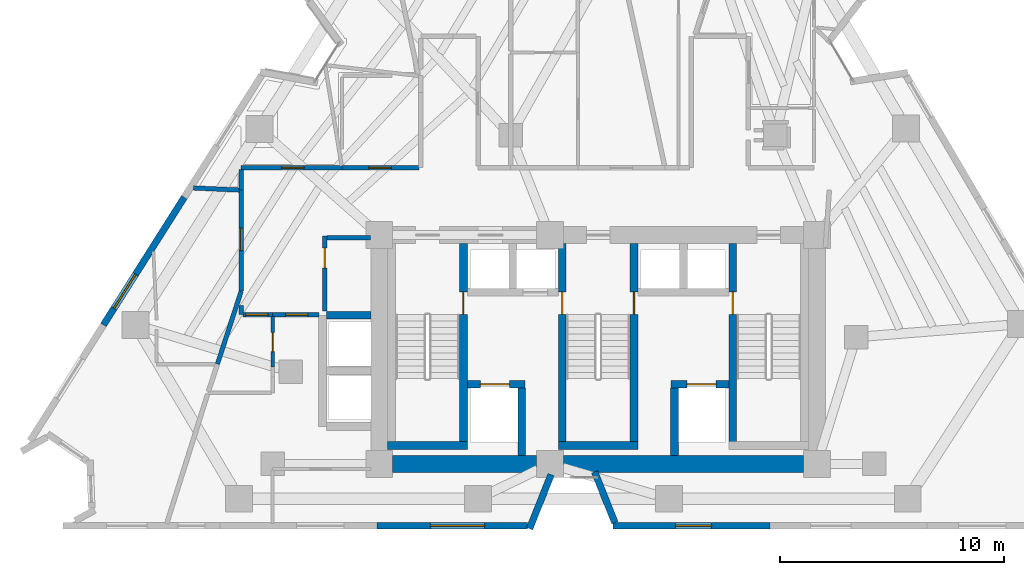
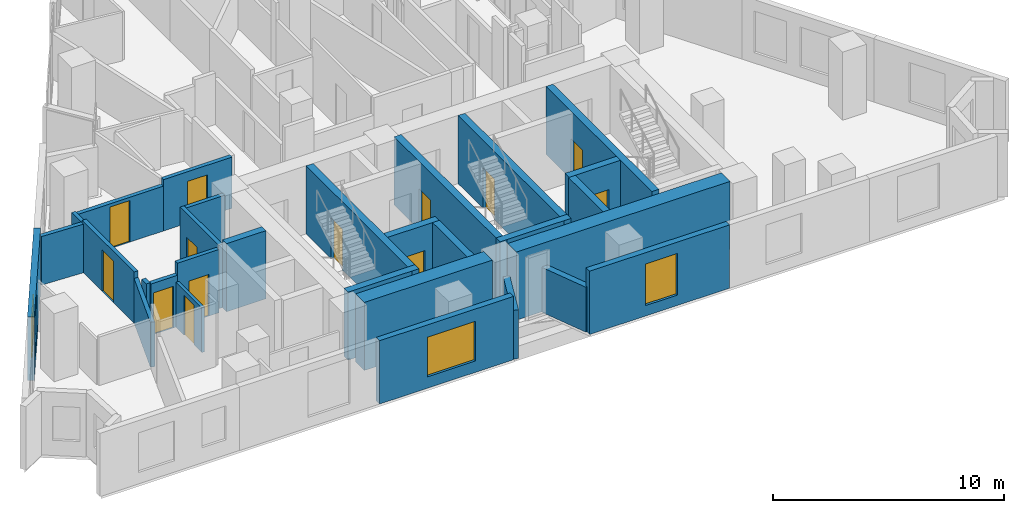
# One storey, part 6 of 12: 30 walls, 13 doors, 3 windows, 16 openings.
"""IFC4 building model written with IfcOpenShell, lengths in metres."""

import ifcopenshell
import ifcopenshell.guid

model = None  # the IFC model being written
_history = None  # IfcOwnerHistory: only IFC2X3 demands one
_inside = {}  # id of a spatial element -> (the spatial element, [elements in it])
_under = {}  # id of a project, library or spatial element -> (it, [spatial elements below it])
_declared = {}  # id of a project -> (the project, [libraries it declares])
_typed = {}  # id of a type object -> (the type object, [elements of that type])
_made_of = {}  # id of a material, layer set ... -> (it, [elements and type objects made of it])


def new_model(schema):
    """Start an empty IFC model of exactly this schema.

    Asked for "IFC4X3", IfcOpenShell would pick the latest addendum, in which some entities
    have other attributes; the version numbers below select the first issue.
    IFC2X3 requires an IfcOwnerHistory on every rooted entity: one is made here for all.
    """
    global model, _history
    if schema == "IFC4X3":
        model = ifcopenshell.file(schema_version=(4, 3, 0, 0))
    else:
        model = ifcopenshell.file(schema=schema)
    _inside.clear()
    _under.clear()
    _declared.clear()
    _typed.clear()
    _made_of.clear()
    _history = None
    if model.schema == "IFC2X3":
        org = make("IfcOrganization", Name="unknown")
        user = make(
            "IfcPersonAndOrganization",
            ThePerson=make("IfcPerson", FamilyName="unknown"),
            TheOrganization=org,
        )
        app = make(
            "IfcApplication",
            ApplicationDeveloper=org,
            Version="unknown",
            ApplicationFullName="unknown",
            ApplicationIdentifier="unknown",
        )
        _history = make(
            "IfcOwnerHistory",
            OwningUser=user,
            OwningApplication=app,
            ChangeAction="ADDED",
            CreationDate=0,
        )
    return model


def make(cls, **values):
    """One entity of the class cls with the attributes given. An attribute that is None is left unset."""
    return model.create_entity(
        cls, **{name: value for name, value in values.items() if value is not None}
    )


def rooted(cls, **values):
    """An entity with a GlobalId (a new one), such as an element, a storey or a relation."""
    return make(cls, GlobalId=ifcopenshell.guid.new(), OwnerHistory=_history, **values)


def si_unit(unit_type, name, prefix=None):
    """IfcSIUnit, for example si_unit("LENGTHUNIT", "METRE", prefix="MILLI")."""
    return make("IfcSIUnit", UnitType=unit_type, Prefix=prefix, Name=name)


def assignment(units):
    """IfcUnitAssignment: the units of a project."""
    return None if units is None else make("IfcUnitAssignment", Units=units)


def point(xyz):
    """IfcCartesianPoint."""
    return None if xyz is None else make("IfcCartesianPoint", Coordinates=xyz)


def direction(xyz):
    """IfcDirection."""
    return None if xyz is None else make("IfcDirection", DirectionRatios=xyz)


def frame(location, z_axis=None, x_axis=None):
    """IfcAxis2Placement3D, a coordinate frame: its origin and axes. An axis left out is left unset."""
    return make(
        "IfcAxis2Placement3D",
        Location=point(location),
        Axis=direction(z_axis),
        RefDirection=direction(x_axis),
    )


def frame_2d(location, x_axis=None):
    """IfcAxis2Placement2D, a coordinate frame in the plane: its origin and x axis."""
    return make(
        "IfcAxis2Placement2D", Location=point(location), RefDirection=direction(x_axis)
    )


def origin():
    """The frame at (0, 0, 0) with its axes left unset."""
    return frame((0.0, 0.0, 0.0))


def place(relative_to, where):
    """IfcLocalPlacement: puts the frame where relative to a parent placement (None: the world)."""
    return make(
        "IfcLocalPlacement", PlacementRelTo=relative_to, RelativePlacement=where
    )


def context(
    kind, dimensions, precision=None, world=None, true_north=None, identifier=None
):
    """IfcGeometricRepresentationContext, for example the 3D "Model" context."""
    return make(
        "IfcGeometricRepresentationContext",
        ContextIdentifier=identifier,
        ContextType=kind,
        CoordinateSpaceDimension=dimensions,
        Precision=precision,
        WorldCoordinateSystem=world,
        TrueNorth=true_north,
    )


def subcontext(parent, identifier, kind, view, scale=None):
    """IfcGeometricRepresentationSubContext, for example "Body" below "Model"."""
    return make(
        "IfcGeometricRepresentationSubContext",
        ContextIdentifier=identifier,
        ContextType=kind,
        ParentContext=parent,
        TargetScale=scale,
        TargetView=view,
    )


def project(units=None, contexts=None):
    """IfcProject with its units and contexts."""
    return rooted(
        "IfcProject",
        Name="project",
        RepresentationContexts=contexts,
        UnitsInContext=assignment(units),
    )


def spatial(cls, under=None, at=None, **own):
    """A site, building, storey or space (cls), placed at a placement, below another one or the project."""
    s = rooted(cls, ObjectPlacement=at, **own)
    if under is not None:
        _under.setdefault(under.id(), (under, []))[1].append(s)
    return s


def profile(cls, at=None, kind="AREA", **sizes):
    """A parametric profile (cls). Its sizes go by their IFC names, for example OverallWidth=200.0."""
    return make(cls, ProfileType=kind, Position=at, **sizes)


def rectangle(**sizes):
    """IfcRectangleProfileDef."""
    return profile("IfcRectangleProfileDef", **sizes)


def extrude(swept, where, along, depth):
    """IfcExtrudedAreaSolid: the profile swept, set in the frame where, extruded along a direction by depth."""
    return make(
        "IfcExtrudedAreaSolid",
        SweptArea=swept,
        Position=where,
        ExtrudedDirection=direction(along),
        Depth=depth,
    )


def shape(context_of_items, identifier, shape_type, items):
    """IfcShapeRepresentation: the items that make up one representation, for example the "Body"."""
    return make(
        "IfcShapeRepresentation",
        ContextOfItems=context_of_items,
        RepresentationIdentifier=identifier,
        RepresentationType=shape_type,
        Items=items,
    )


def material(Name=None, Category=None):
    """IfcMaterial."""
    return make("IfcMaterial", Name=Name, Category=Category)


def layer(
    of_material, thickness, ventilated=None, Name=None, Category=None, Priority=None
):
    """IfcMaterialLayer: one layer of a wall or slab, of a material (None: an air gap)."""
    return make(
        "IfcMaterialLayer",
        Material=of_material,
        LayerThickness=thickness,
        IsVentilated=ventilated,
        Name=Name,
        Category=Category,
        Priority=Priority,
    )


def layer_set(layers, Name=None):
    """IfcMaterialLayerSet."""
    return make("IfcMaterialLayerSet", MaterialLayers=layers, LayerSetName=Name)


def made_of(thing, what):
    """Note that an element or type object is made of a material, layer set ...; save() writes the relation."""
    if what is not None:
        _made_of.setdefault(what.id(), (what, []))[1].append(thing)
    return thing


def type_object(cls, material=None, **own):
    """A type object (cls), such as IfcWallType, which elements share."""
    return made_of(rooted(cls, **own), material)


def element(
    cls,
    number,
    at=None,
    inside=None,
    cuts=None,
    type_object=None,
    material=None,
    context=None,
    identifier="Body",
    shape_type=None,
    held_by="IfcProductDefinitionShape",
    body=None,
    shapes=None,
    **own,
):
    """One element of the class cls, such as IfcWall. Its Tag is "e" and its number.

    at: its placement. inside: the storey or other place that contains it. cuts: it is an
    opening in that element (IfcRelVoidsElement). A single representation is given by context,
    identifier, shape_type and body (its items); several are given by shapes. held_by: the class
    of the entity that holds the representations. save() writes the other relations.
    """
    e = rooted(cls, Tag="e%d" % number, ObjectPlacement=at, **own)
    if body is not None:
        shapes = [shape(context, identifier, shape_type, body)]
    if shapes is not None:
        e.Representation = make(held_by, Representations=shapes)
    if inside is not None:
        _inside.setdefault(inside.id(), (inside, []))[1].append(e)
    if cuts is not None:
        rooted(
            "IfcRelVoidsElement", RelatingBuildingElement=cuts, RelatedOpeningElement=e
        )
    if type_object is not None:
        _typed.setdefault(type_object.id(), (type_object, []))[1].append(e)
    return made_of(e, material)


def fill(opening, filler):
    """IfcRelFillsElement: the door or window that sits in an opening."""
    return rooted(
        "IfcRelFillsElement",
        RelatingOpeningElement=opening,
        RelatedBuildingElement=filler,
    )


def aggregate(whole, parts):
    """IfcRelAggregates: a whole, such as a stair, and the parts it consists of."""
    return rooted("IfcRelAggregates", RelatingObject=whole, RelatedObjects=parts)


def save(model, path):
    """Write the relations noted so far, then the file.

    IfcRelAggregates (storeys below a building ...), IfcRelContainedInSpatialStructure (elements
    in a storey), IfcRelDefinesByType, IfcRelAssociatesMaterial and IfcRelDeclares: one each for
    every whole, place, type object, material and project.
    """
    for whole, parts in _under.values():
        aggregate(whole, parts)
    for where, things in _inside.values():
        rooted(
            "IfcRelContainedInSpatialStructure",
            RelatedElements=things,
            RelatingStructure=where,
        )
    for kind, things in _typed.values():
        rooted("IfcRelDefinesByType", RelatedObjects=things, RelatingType=kind)
    for what, things in _made_of.values():
        rooted("IfcRelAssociatesMaterial", RelatedObjects=things, RelatingMaterial=what)
    for by, libraries in _declared.values():
        rooted("IfcRelDeclares", RelatingContext=by, RelatedDefinitions=libraries)
    model.write(path)


model = new_model("IFC4")

# Units and contexts
model_context = context("Model", 3, precision=1e-05, world=origin(), true_north=direction((0.0, 1.0)))
body_context = subcontext(model_context, "Body", "Model", "MODEL_VIEW")
ifc_project = project(units=[si_unit("LENGTHUNIT", "METRE"), si_unit("AREAUNIT", "SQUARE_METRE"), si_unit("VOLUMEUNIT", "CUBIC_METRE"), si_unit("PLANEANGLEUNIT", "RADIAN"), si_unit("MASSUNIT", "GRAM", prefix="KILO")], contexts=[model_context])

# Site, building, storey
site_placement = place(None, origin())
site = spatial("IfcSite", under=ifc_project, at=site_placement, CompositionType="ELEMENT")
building_placement = place(site_placement, origin())
building = spatial("IfcBuilding", under=site, at=building_placement, Name="Almagre Mirador Tower", CompositionType="ELEMENT")
storey_placement = place(building_placement, frame((0.0, 0.0, 114.0)))
storey = spatial("IfcBuildingStorey", under=building, at=storey_placement, Name="L28", CompositionType="ELEMENT", Elevation=114.0)

# Wall, opening, window
ifc_material_1 = material(Name="Precast concrete C50/60", Category="concrete")
ifc_layer_1 = layer(ifc_material_1, 0.300048828125)
ifc_layer_set_1 = layer_set([ifc_layer_1], Name="Precast concrete C50/60")
wall_type_1 = type_object("IfcWallType", Name="WAL-EXT-300", PredefinedType="SOLIDWALL", material=ifc_layer_set_1)
wall_1_placement = place(storey_placement, frame((44.953369140625, 1.800048828125, 0.0), z_axis=(0.0, 0.0, 1.0), x_axis=(-1.0, 0.0, 0.0)))
wall_1 = element("IfcWall", 1, at=wall_1_placement, inside=storey, type_object=wall_type_1, Name="L28 expressed almagre precast frame wall 23", PredefinedType="SOLIDWALL", context=body_context, shape_type="SweptSolid", body=[
    extrude(rectangle(XDim=6.993408203125, YDim=0.300048828125, at=frame_2d((3.49658203125, 0.0))), origin(), (0.0, 0.0, 1.0), 3.35009765625),
])
opening_1_placement = place(wall_1_placement, frame((2.60009765625, 0.0, 0.550048828125)))
opening_1 = element("IfcOpeningElement", 2, at=opening_1_placement, cuts=wall_1, Name="Opening WN-06", PredefinedType="OPENING", context=body_context, shape_type="SweptSolid", body=[
    extrude(rectangle(XDim=1.60009765625, YDim=2.199951171875, at=frame_2d((0.800048828125, 1.10009765625))), frame((0.0, 0.159902, 0.0), z_axis=(0.0, -1.0, 0.0), x_axis=(1.0, 0.0, 0.0)), (0.0, 0.0, 1.0), 0.320049),
])
ifc_material_2 = material(Name="Dark solar-control laminated hurricane glass", Category="glass")
window_type_1 = type_object("IfcWindowType", Name="WIN-1600X2200", PartitioningType="DOUBLE_PANEL_VERTICAL", PredefinedType="WINDOW", material=ifc_material_2)
window_1_placement = place(opening_1_placement, origin())
window_1 = element("IfcWindow", 3, at=window_1_placement, inside=storey, type_object=window_type_1, Name="L28 recessed hurricane window L28-RST-B", OverallHeight=2.199951171875, OverallWidth=1.60009765625, PartitioningType="SINGLE_PANEL", PredefinedType="WINDOW", context=body_context, shape_type="SweptSolid", body=[
    extrude(rectangle(XDim=1.60009765625, YDim=2.199951171875, at=frame_2d((0.800048828125, 1.10009765625))), frame((0.0, 0.030029296875, 0.0), z_axis=(0.0, -1.0, 0.0), x_axis=(1.0, 0.0, 0.0)), (0.0, 0.0, 1.0), 0.06005859375),
])
fill(opening_1, window_1)

# Walls
wall_2_placement = place(storey_placement, frame((38.048095703125, 1.93017578125, 0.0), z_axis=(0.0, 0.0, 1.0), x_axis=(-0.369476217581, 0.929240186734, 0.0)))
element("IfcWall", 4, at=wall_2_placement, inside=storey, type_object=wall_type_1, Name="L28 expressed almagre precast frame wall 24", PredefinedType="SOLIDWALL", context=body_context, shape_type="SweptSolid", body=[
    extrude(rectangle(XDim=2.441650390625, YDim=0.300048828125, at=frame_2d((1.220703125, 0.0))), origin(), (0.0, 0.0, 1.0), 2.376953125),
])
wall_3_placement = place(storey_placement, frame((35.206787109375, 4.080078125, 0.0), z_axis=(0.0, 0.0, 1.0), x_axis=(-0.369539870332, -0.929214875169, 0.0)))
element("IfcWall", 5, at=wall_3_placement, inside=storey, type_object=wall_type_1, Name="L28 expressed almagre precast frame wall 25", PredefinedType="SOLIDWALL", context=body_context, shape_type="SweptSolid", body=[
    extrude(rectangle(XDim=2.59375, YDim=0.300048828125, at=frame_2d((1.296875, 0.0))), origin(), (0.0, 0.0, 1.0), 2.574951171875),
])

# Wall, opening, window
wall_4_placement = place(storey_placement, frame((34.159912109375, 1.800048828125, 0.0), z_axis=(0.0, 0.0, 1.0), x_axis=(-1.0, 0.0, 0.0)))
wall_4 = element("IfcWall", 6, at=wall_4_placement, inside=storey, type_object=wall_type_1, Name="L28 expressed almagre precast frame wall 26", PredefinedType="SOLIDWALL", context=body_context, shape_type="SweptSolid", body=[
    extrude(rectangle(XDim=6.713134765625, YDim=0.300048828125, at=frame_2d((3.3564453125, 0.0))), origin(), (0.0, 0.0, 1.0), 3.35009765625),
])
opening_2_placement = place(wall_4_placement, frame((1.919921875, 0.0, 0.60009765625)))
opening_2 = element("IfcOpeningElement", 7, at=opening_2_placement, cuts=wall_4, Name="Opening WN-02", PredefinedType="OPENING", context=body_context, shape_type="SweptSolid", body=[
    extrude(rectangle(XDim=2.39990234375, YDim=2.10009765625, at=frame_2d((1.199951171875, 1.050048828125))), frame((0.0, 0.159902, 0.0), z_axis=(0.0, -1.0, 0.0), x_axis=(1.0, 0.0, 0.0)), (0.0, 0.0, 1.0), 0.320049),
])
ifc_material_3 = material(Name="Dark solar-control laminated hurricane glass", Category="glass")
window_type_2 = type_object("IfcWindowType", Name="WIN-2400X2100", PartitioningType="TRIPLE_PANEL_VERTICAL", PredefinedType="WINDOW", material=ifc_material_3)
window_2_placement = place(opening_2_placement, origin())
window_2 = element("IfcWindow", 8, at=window_2_placement, inside=storey, type_object=window_type_2, Name="L28 recessed hurricane window L28-RST-B", OverallHeight=2.10009765625, OverallWidth=2.39990234375, PartitioningType="SINGLE_PANEL", PredefinedType="WINDOW", context=body_context, shape_type="SweptSolid", body=[
    extrude(rectangle(XDim=2.39990234375, YDim=2.10009765625, at=frame_2d((1.199951171875, 1.050048828125))), frame((0.0, 0.030029296875, 0.0), z_axis=(0.0, -1.0, 0.0), x_axis=(1.0, 0.0, 0.0)), (0.0, 0.0, 1.0), 0.06005859375),
])
fill(opening_2, window_2)

wall_5_placement = place(storey_placement, frame((15.262451171875, 10.74560546875, 0.0), z_axis=(0.0, 0.0, 1.0), x_axis=(0.534880248718, 0.844927878302, 0.0)))
wall_5 = element("IfcWall", 9, at=wall_5_placement, inside=storey, type_object=wall_type_1, Name="L28 expressed almagre precast frame wall 34", PredefinedType="SOLIDWALL", context=body_context, shape_type="SweptSolid", body=[
    extrude(rectangle(XDim=6.72705078125, YDim=0.300048828125, at=frame_2d((3.363525390625, 0.0))), origin(), (0.0, 0.0, 1.0), 3.35009765625),
])
opening_3_placement = place(wall_5_placement, frame((0.875, 0.0, 0.60009765625)))
opening_3 = element("IfcOpeningElement", 10, at=opening_3_placement, cuts=wall_5, Name="Opening WN-01", PredefinedType="OPENING", context=body_context, shape_type="SweptSolid", body=[
    extrude(rectangle(XDim=1.800048828125, YDim=2.10009765625, at=frame_2d((0.89990234375, 1.050048828125))), frame((0.0, 0.159902, 0.0), z_axis=(0.0, -1.0, 0.0), x_axis=(1.0, 0.0, 0.0)), (0.0, 0.0, 1.0), 0.320049),
])
ifc_material_4 = material(Name="Dark solar-control laminated hurricane glass", Category="glass")
window_type_3 = type_object("IfcWindowType", Name="WIN-1800X2100", PartitioningType="DOUBLE_PANEL_VERTICAL", PredefinedType="WINDOW", material=ifc_material_4)
window_3_placement = place(opening_3_placement, origin())
window_3 = element("IfcWindow", 11, at=window_3_placement, inside=storey, type_object=window_type_3, Name="L28 recessed hurricane window L28-UD-KT", OverallHeight=2.10009765625, OverallWidth=1.800048828125, PartitioningType="SINGLE_PANEL", PredefinedType="WINDOW", context=body_context, shape_type="SweptSolid", body=[
    extrude(rectangle(XDim=1.800048828125, YDim=2.10009765625, at=frame_2d((0.89990234375, 1.050048828125))), frame((0.0, 0.030029296875, 0.0), z_axis=(0.0, -1.0, 0.0), x_axis=(1.0, 0.0, 0.0)), (0.0, 0.0, 1.0), 0.06005859375),
])
fill(opening_3, window_3)

# Wall, opening, door
ifc_material_5 = material(Name="Gypsum acoustic stud partition", Category="other")
ifc_layer_2 = layer(ifc_material_5, 0.14990234375)
ifc_layer_set_2 = layer_set([ifc_layer_2], Name="Gypsum acoustic stud partition")
wall_type_2 = type_object("IfcWallType", Name="WAL-PRT-150-STD", PredefinedType="PARTITIONING", material=ifc_layer_set_2)
wall_6_placement = place(storey_placement, frame((22.800048828125, 11.114990234375, 0.0), z_axis=(0.0, 0.0, 1.0), x_axis=(0.0, -1.0, 0.0)))
wall_6 = element("IfcWall", 12, at=wall_6_placement, inside=storey, type_object=wall_type_2, Name="L28 interior partition 026", PredefinedType="PARTITIONING", context=body_context, shape_type="SweptSolid", body=[
    extrude(rectangle(XDim=2.244873046875, YDim=0.14990234375, at=frame_2d((1.12255859375, 0.0))), origin(), (0.0, 0.0, 1.0), 2.3720703125),
])
opening_4_placement = place(wall_6_placement, frame((0.70947265625, 0.0, 0.0)))
opening_4 = element("IfcOpeningElement", 13, at=opening_4_placement, cuts=wall_6, Name="Opening UD-04", PredefinedType="OPENING", context=body_context, shape_type="SweptSolid", body=[
    extrude(rectangle(XDim=0.85009765625, YDim=2.10009765625, at=frame_2d((0.425048828125, 1.050048828125))), frame((0.0, 0.084951, 0.0), z_axis=(0.0, -1.0, 0.0), x_axis=(1.0, 0.0, 0.0)), (0.0, 0.0, 1.0), 0.169902),
])
ifc_material_6 = material(Name="Moisture-resistant oak timber", Category="wood")
door_type_1 = type_object("IfcDoorType", Name="DOR-UNR-850X2100", OperationType="NOTDEFINED", PredefinedType="DOOR", material=ifc_material_6)
door_1_placement = place(opening_4_placement, origin())
door_1 = element("IfcDoor", 14, at=door_1_placement, inside=storey, type_object=door_type_1, Name="DR-0920 L28 interior door L28-UA-LV to L28-UA-HB", OperationType="SINGLE_SWING_LEFT", OverallHeight=2.10009765625, OverallWidth=0.85009765625, PredefinedType="DOOR", context=body_context, shape_type="SweptSolid", body=[
    extrude(rectangle(XDim=0.85009765625, YDim=2.10009765625, at=frame_2d((0.425048828125, 1.050048828125))), frame((0.0, 0.02490234375, 0.0), z_axis=(0.0, -1.0, 0.0), x_axis=(1.0, 0.0, 0.0)), (0.0, 0.0, 1.0), 0.050048828125),
])
fill(opening_4, door_1)

ifc_material_7 = material(Name="Gypsum acoustic stud partition", Category="other")
ifc_layer_3 = layer(ifc_material_7, 0.199951171875)
ifc_layer_set_3 = layer_set([ifc_layer_3], Name="Gypsum acoustic stud partition")
wall_type_3 = type_object("IfcWallType", Name="WAL-PRT-200-EI60", PredefinedType="PARTITIONING", material=ifc_layer_set_3)
wall_7_placement = place(storey_placement, frame((25.1201171875, 11.3701171875, 0.0), z_axis=(0.0, 0.0, 1.0), x_axis=(0.0, 1.0, 0.0)))
wall_7 = element("IfcWall", 15, at=wall_7_placement, inside=storey, type_object=wall_type_3, Name="L28 core ancillary west wall", PredefinedType="PARTITIONING", context=body_context, shape_type="SweptSolid", body=[
    extrude(rectangle(XDim=3.33984375, YDim=0.199951171875, at=frame_2d((1.669921875, 0.0))), origin(), (0.0, 0.0, 1.0), 3.35009765625),
])
opening_5_placement = place(wall_7_placement, frame((1.89990234375, 0.0, 0.0)))
opening_5 = element("IfcOpeningElement", 16, at=opening_5_placement, cuts=wall_7, Name="Opening ID-03", PredefinedType="OPENING", context=body_context, shape_type="SweptSolid", body=[
    extrude(rectangle(XDim=0.89990234375, YDim=2.10009765625, at=frame_2d((0.449951171875, 1.050048828125))), frame((0.0, 0.110098, 0.0), z_axis=(0.0, -1.0, 0.0), x_axis=(1.0, 0.0, 0.0)), (0.0, 0.0, 1.0), 0.219951),
])
ifc_material_8 = material(Name="Fire-rated hollow steel", Category="steel")
door_type_2 = type_object("IfcDoorType", Name="DOR-FD60-900X2100", OperationType="NOTDEFINED", PredefinedType="DOOR", material=ifc_material_8)
door_2_placement = place(opening_5_placement, origin())
door_2 = element("IfcDoor", 17, at=door_2_placement, inside=storey, type_object=door_type_2, Name="DR-0913 L28 core ancillary corridor door", OperationType="SINGLE_SWING_RIGHT", OverallHeight=2.10009765625, OverallWidth=0.89990234375, PredefinedType="DOOR", context=body_context, shape_type="SweptSolid", body=[
    extrude(rectangle(XDim=0.89990234375, YDim=2.10009765625, at=frame_2d((0.449951171875, 1.050048828125))), frame((0.0, 0.02490234375, 0.0), z_axis=(0.0, -1.0, 0.0), x_axis=(1.0, 0.0, 0.0)), (0.0, 0.0, 1.0), 0.050048828125),
])
fill(opening_5, door_2)

# Wall
wall_8_placement = place(storey_placement, frame((25.22509765625, 14.6201171875, 0.0), z_axis=(0.0, 0.0, 1.0), x_axis=(1.0, 0.0, 0.0)))
element("IfcWall", 18, at=wall_8_placement, inside=storey, type_object=wall_type_3, Name="L28 core ancillary north wall", PredefinedType="PARTITIONING", context=body_context, shape_type="SweptSolid", body=[
    extrude(rectangle(XDim=1.934814453125, YDim=0.199951171875, at=frame_2d((0.96728515625, 0.0))), origin(), (0.0, 0.0, 1.0), 3.35009765625),
])

# Wall, opening, door
wall_9_placement = place(storey_placement, frame((22.800048828125, 11.199951171875, 0.0), z_axis=(0.0, 0.0, 1.0), x_axis=(1.0, 0.0, 0.0)))
wall_9 = element("IfcWall", 19, at=wall_9_placement, inside=storey, type_object=wall_type_3, Name="L28 interior partition 001", PredefinedType="PARTITIONING", context=body_context, shape_type="SweptSolid", body=[
    extrude(rectangle(XDim=2.069091796875, YDim=0.199951171875, at=frame_2d((1.03466796875, 0.0))), origin(), (0.0, 0.0, 1.0), 3.35009765625),
])
opening_6_placement = place(wall_9_placement, frame((0.574951171875, 0.0, 0.0)))
opening_6 = element("IfcOpeningElement", 20, at=opening_6_placement, cuts=wall_9, Name="Opening ID-01", PredefinedType="OPENING", context=body_context, shape_type="SweptSolid", body=[
    extrude(rectangle(XDim=1.0, YDim=2.199951171875, at=frame_2d((0.5, 1.10009765625))), frame((0.0, 0.110098, 0.0), z_axis=(0.0, -1.0, 0.0), x_axis=(1.0, 0.0, 0.0)), (0.0, 0.0, 1.0), 0.219951),
])
ifc_material_9 = material(Name="Fire-rated walnut timber", Category="wood")
door_type_3 = type_object("IfcDoorType", Name="DOR-FD60-1000X2200", OperationType="NOTDEFINED", PredefinedType="DOOR", material=ifc_material_9)
door_3_placement = place(opening_6_placement, origin())
door_3 = element("IfcDoor", 21, at=door_3_placement, inside=storey, type_object=door_type_3, Name="DR-0918 L28 interior door L28-RCOR to L28-UA-LV", OperationType="SINGLE_SWING_LEFT", OverallHeight=2.199951171875, OverallWidth=1.0, PredefinedType="DOOR", context=body_context, shape_type="SweptSolid", body=[
    extrude(rectangle(XDim=1.0, YDim=2.199951171875, at=frame_2d((0.5, 1.10009765625))), frame((0.0, 0.02490234375, 0.0), z_axis=(0.0, -1.0, 0.0), x_axis=(1.0, 0.0, 0.0)), (0.0, 0.0, 1.0), 0.050048828125),
])
fill(opening_6, door_3)

# Wall
wall_10_placement = place(storey_placement, frame((21.39990234375, 11.60498046875, 0.0), z_axis=(0.0, 0.0, 1.0), x_axis=(0.0, -1.0, 0.0)))
element("IfcWall", 22, at=wall_10_placement, inside=storey, type_object=wall_type_3, Name="L28 interior partition 002", PredefinedType="PARTITIONING", context=body_context, shape_type="SweptSolid", body=[
    extrude(rectangle(XDim=0.405029296875, YDim=0.199951171875, at=frame_2d((0.20263671875, 0.0))), origin(), (0.0, 0.0, 1.0), 2.7119140625),
])

# Wall, opening, door
wall_11_placement = place(storey_placement, frame((21.485107421875, 11.199951171875, 0.0), z_axis=(0.0, 0.0, 1.0), x_axis=(1.0, 0.0, 0.0)))
wall_11 = element("IfcWall", 23, at=wall_11_placement, inside=storey, type_object=wall_type_3, Name="L28 interior partition 003", PredefinedType="PARTITIONING", context=body_context, shape_type="SweptSolid", body=[
    extrude(rectangle(XDim=1.31494140625, YDim=0.199951171875, at=frame_2d((0.657470703125, 0.0))), origin(), (0.0, 0.0, 1.0), 2.7119140625),
])
opening_7_placement = place(wall_11_placement, frame((0.114990234375, 0.0, 0.0)))
opening_7 = element("IfcOpeningElement", 24, at=opening_7_placement, cuts=wall_11, Name="Opening ID-01", PredefinedType="OPENING", context=body_context, shape_type="SweptSolid", body=[
    extrude(rectangle(XDim=1.0, YDim=2.199951171875, at=frame_2d((0.5, 1.10009765625))), frame((0.0, 0.110098, 0.0), z_axis=(0.0, -1.0, 0.0), x_axis=(1.0, 0.0, 0.0)), (0.0, 0.0, 1.0), 0.219951),
])
door_4_placement = place(opening_7_placement, origin())
door_4 = element("IfcDoor", 25, at=door_4_placement, inside=storey, type_object=door_type_3, Name="DR-0935 L28 interior door L28-RCOR to L28-UA-HB", OperationType="SINGLE_SWING_RIGHT", OverallHeight=2.199951171875, OverallWidth=1.0, PredefinedType="DOOR", context=body_context, shape_type="SweptSolid", body=[
    extrude(rectangle(XDim=1.0, YDim=2.199951171875, at=frame_2d((0.5, 1.10009765625))), frame((0.0, 0.02490234375, 0.0), z_axis=(0.0, -1.0, 0.0), x_axis=(1.0, 0.0, 0.0)), (0.0, 0.0, 1.0), 0.050048828125),
])
fill(opening_7, door_4)

wall_12_placement = place(storey_placement, frame((21.39990234375, 16.75, 0.0), z_axis=(0.0, 0.0, 1.0), x_axis=(0.0, -1.0, 0.0)))
wall_12 = element("IfcWall", 26, at=wall_12_placement, inside=storey, type_object=wall_type_3, Name="L28 interior partition 005", PredefinedType="PARTITIONING", context=body_context, shape_type="SweptSolid", body=[
    extrude(rectangle(XDim=4.5, YDim=0.199951171875, at=frame_2d((2.25, 0.0))), origin(), (0.0, 0.0, 1.0), 2.7119140625),
])
opening_8_placement = place(wall_12_placement, frame((1.6904296875, 0.0, 0.0)))
opening_8 = element("IfcOpeningElement", 27, at=opening_8_placement, cuts=wall_12, Name="Opening ID-01", PredefinedType="OPENING", context=body_context, shape_type="SweptSolid", body=[
    extrude(rectangle(XDim=1.0, YDim=2.199951171875, at=frame_2d((0.5, 1.10009765625))), frame((0.0, 0.110098, 0.0), z_axis=(0.0, -1.0, 0.0), x_axis=(1.0, 0.0, 0.0)), (0.0, 0.0, 1.0), 0.219951),
])
door_5_placement = place(opening_8_placement, origin())
door_5 = element("IfcDoor", 28, at=door_5_placement, inside=storey, type_object=door_type_3, Name="DR-0921 L28 interior door L28-RCOR to L28-UD-ST", OperationType="SINGLE_SWING_RIGHT", OverallHeight=2.199951171875, OverallWidth=1.0, PredefinedType="DOOR", context=body_context, shape_type="SweptSolid", body=[
    extrude(rectangle(XDim=1.0, YDim=2.199951171875, at=frame_2d((0.5, 1.10009765625))), frame((0.0, 0.02490234375, 0.0), z_axis=(0.0, -1.0, 0.0), x_axis=(1.0, 0.0, 0.0)), (0.0, 0.0, 1.0), 0.050048828125),
])
fill(opening_8, door_5)

wall_13_placement = place(storey_placement, frame((25.889892578125, 17.75, 0.0), z_axis=(0.0, 0.0, 1.0), x_axis=(-1.0, 0.0, 0.0)))
wall_13 = element("IfcWall", 29, at=wall_13_placement, inside=storey, type_object=wall_type_3, Name="L28 interior partition 006", PredefinedType="PARTITIONING", context=body_context, shape_type="SweptSolid", body=[
    extrude(rectangle(XDim=4.489990234375, YDim=0.199951171875, at=frame_2d((2.2451171875, 0.0))), origin(), (0.0, 0.0, 1.0), 2.3720703125),
])
opening_9_placement = place(wall_13_placement, frame((1.685546875, 0.0, 0.0)))
opening_9 = element("IfcOpeningElement", 30, at=opening_9_placement, cuts=wall_13, Name="Opening ID-01", PredefinedType="OPENING", context=body_context, shape_type="SweptSolid", body=[
    extrude(rectangle(XDim=1.0, YDim=2.199951171875, at=frame_2d((0.5, 1.10009765625))), frame((0.0, 0.110098, 0.0), z_axis=(0.0, -1.0, 0.0), x_axis=(1.0, 0.0, 0.0)), (0.0, 0.0, 1.0), 0.219951),
])
door_6_placement = place(opening_9_placement, origin())
door_6 = element("IfcDoor", 31, at=door_6_placement, inside=storey, type_object=door_type_3, Name="DR-0922 L28 interior door L28-RCOR to L28-UF-ST", OperationType="SINGLE_SWING_LEFT", OverallHeight=2.199951171875, OverallWidth=1.0, PredefinedType="DOOR", context=body_context, shape_type="SweptSolid", body=[
    extrude(rectangle(XDim=1.0, YDim=2.199951171875, at=frame_2d((0.5, 1.10009765625))), frame((0.0, 0.02490234375, 0.0), z_axis=(0.0, -1.0, 0.0), x_axis=(1.0, 0.0, 0.0)), (0.0, 0.0, 1.0), 0.050048828125),
])
fill(opening_9, door_6)

# Wall
wall_14_placement = place(storey_placement, frame((21.39990234375, 17.6650390625, 0.0), z_axis=(0.0, 0.0, 1.0), x_axis=(0.0, -1.0, 0.0)))
element("IfcWall", 32, at=wall_14_placement, inside=storey, type_object=wall_type_3, Name="L28 interior partition 007", PredefinedType="PARTITIONING", context=body_context, shape_type="SweptSolid", body=[
    extrude(rectangle(XDim=0.9150390625, YDim=0.199951171875, at=frame_2d((0.45751953125, 0.0))), origin(), (0.0, 0.0, 1.0), 2.570068359375),
])

# Wall, opening, door
wall_15_placement = place(storey_placement, frame((29.31494140625, 17.75, 0.0), z_axis=(0.0, 0.0, 1.0), x_axis=(-1.0, 0.0, 0.0)))
wall_15 = element("IfcWall", 33, at=wall_15_placement, inside=storey, type_object=wall_type_3, Name="L28 interior partition 009", PredefinedType="PARTITIONING", context=body_context, shape_type="SweptSolid", body=[
    extrude(rectangle(XDim=3.425048828125, YDim=0.199951171875, at=frame_2d((1.71240234375, 0.0))), origin(), (0.0, 0.0, 1.0), 2.7119140625),
])
opening_10_placement = place(wall_15_placement, frame((1.228759765625, 0.0, 0.0)))
opening_10 = element("IfcOpeningElement", 34, at=opening_10_placement, cuts=wall_15, Name="Opening ID-01", PredefinedType="OPENING", context=body_context, shape_type="SweptSolid", body=[
    extrude(rectangle(XDim=1.0, YDim=2.199951171875, at=frame_2d((0.5, 1.10009765625))), frame((0.0, 0.110098, 0.0), z_axis=(0.0, -1.0, 0.0), x_axis=(1.0, 0.0, 0.0)), (0.0, 0.0, 1.0), 0.219951),
])
door_7_placement = place(opening_10_placement, origin())
door_7 = element("IfcDoor", 35, at=door_7_placement, inside=storey, type_object=door_type_3, Name="DR-0936 L28 interior door L28-RCOR to L28-UF-BT", OperationType="SINGLE_SWING_LEFT", OverallHeight=2.199951171875, OverallWidth=1.0, PredefinedType="DOOR", context=body_context, shape_type="SweptSolid", body=[
    extrude(rectangle(XDim=1.0, YDim=2.199951171875, at=frame_2d((0.5, 1.10009765625))), frame((0.0, 0.02490234375, 0.0), z_axis=(0.0, -1.0, 0.0), x_axis=(1.0, 0.0, 0.0)), (0.0, 0.0, 1.0), 0.050048828125),
])
fill(opening_10, door_7)

# Walls
wall_16_placement = place(storey_placement, frame((21.39990234375, 12.25, 0.0), z_axis=(0.0, 0.0, 1.0), x_axis=(-0.310029019977, -0.950727093741, 0.0)))
element("IfcWall", 36, at=wall_16_placement, inside=storey, type_object=wall_type_3, Name="L28 interior partition 030", PredefinedType="PARTITIONING", context=body_context, shape_type="SweptSolid", body=[
    extrude(rectangle(XDim=3.41845703125, YDim=0.199951171875, at=frame_2d((1.709228515625, 0.0))), origin(), (0.0, 0.0, 1.0), 2.3720703125),
])
wall_17_placement = place(storey_placement, frame((21.315185546875, 16.7529296875, 0.0), z_axis=(0.0, 0.0, 1.0), x_axis=(-0.998928926466, 0.046270939795, 0.0)))
element("IfcWall", 37, at=wall_17_placement, inside=storey, type_object=wall_type_3, Name="L28 interior partition 050", PredefinedType="PARTITIONING", context=body_context, shape_type="SweptSolid", body=[
    extrude(rectangle(XDim=2.052490234375, YDim=0.199951171875, at=frame_2d((1.0263671875, 0.0))), origin(), (0.0, 0.0, 1.0), 2.570068359375),
])

# Wall, opening, door
ifc_material_10 = material(Name="Concrete C60/75", Category="concrete")
ifc_layer_4 = layer(ifc_material_10, 0.35009765625)
ifc_layer_set_4 = layer_set([ifc_layer_4], Name="Concrete C60/75")
wall_type_4 = type_object("IfcWallType", Name="WAL-SHF-350", PredefinedType="SOLIDWALL", material=ifc_layer_set_4)
wall_18_placement = place(storey_placement, frame((31.300048828125, 5.199951171875, 0.0), z_axis=(0.0, 0.0, 1.0), x_axis=(0.0, 1.0, 0.0)))
wall_18 = element("IfcWall", 38, at=wall_18_placement, inside=storey, type_object=wall_type_4, Name="L28 shaft wall ST1-E", PredefinedType="SOLIDWALL", context=body_context, shape_type="SweptSolid", body=[
    extrude(rectangle(XDim=9.175048828125, YDim=0.35009765625, at=frame_2d((4.58740234375, 0.0))), origin(), (0.0, 0.0, 1.0), 3.60009765625),
])
opening_11_placement = place(wall_18_placement, frame((6.02001953125, 0.0, 0.0)))
opening_11 = element("IfcOpeningElement", 39, at=opening_11_placement, cuts=wall_18, Name="Opening FD-01", PredefinedType="OPENING", context=body_context, shape_type="SweptSolid", body=[
    extrude(rectangle(XDim=1.0, YDim=2.14990234375, at=frame_2d((0.5, 1.074951171875))), frame((0.0, 0.185049, 0.0), z_axis=(0.0, -1.0, 0.0), x_axis=(1.0, 0.0, 0.0)), (0.0, 0.0, 1.0), 0.370098),
])
ifc_material_11 = material(Name="Fire-rated hollow steel", Category="steel")
door_type_4 = type_object("IfcDoorType", Name="DOR-FFL-1000X2150", OperationType="NOTDEFINED", PredefinedType="DOOR", material=ifc_material_11)
door_8_placement = place(opening_11_placement, origin())
door_8 = element("IfcDoor", 40, at=door_8_placement, inside=storey, type_object=door_type_4, Name="DR-0914 L28 FFL1-ST1 smokeproof door", OperationType="SINGLE_SWING_RIGHT", OverallHeight=2.14990234375, OverallWidth=1.0, PredefinedType="DOOR", context=body_context, shape_type="SweptSolid", body=[
    extrude(rectangle(XDim=1.0, YDim=2.14990234375, at=frame_2d((0.5, 1.074951171875))), frame((0.0, 0.02490234375, 0.0), z_axis=(0.0, -1.0, 0.0), x_axis=(1.0, 0.0, 0.0)), (0.0, 0.0, 1.0), 0.050048828125),
])
fill(opening_11, door_8)

# Wall
wall_19_placement = place(storey_placement, frame((27.925048828125, 5.375, 0.0), z_axis=(0.0, 0.0, 1.0), x_axis=(1.0, 0.0, 0.0)))
element("IfcWall", 41, at=wall_19_placement, inside=storey, type_object=wall_type_4, Name="L28 shaft wall ST1-S", PredefinedType="SOLIDWALL", context=body_context, shape_type="SweptSolid", body=[
    extrude(rectangle(XDim=3.550048828125, YDim=0.35009765625, at=frame_2d((1.77490234375, 0.0))), origin(), (0.0, 0.0, 1.0), 3.60009765625),
])

# Wall, opening, door
wall_20_placement = place(storey_placement, frame((35.699951171875, 5.199951171875, 0.0), z_axis=(0.0, 0.0, 1.0), x_axis=(0.0, 1.0, 0.0)))
wall_20 = element("IfcWall", 42, at=wall_20_placement, inside=storey, type_object=wall_type_4, Name="L28 shaft wall ST2-W", PredefinedType="SOLIDWALL", context=body_context, shape_type="SweptSolid", body=[
    extrude(rectangle(XDim=9.175048828125, YDim=0.35009765625, at=frame_2d((4.58740234375, 0.0))), origin(), (0.0, 0.0, 1.0), 3.60009765625),
])
opening_12_placement = place(wall_20_placement, frame((6.02001953125, 0.0, 0.0)))
opening_12 = element("IfcOpeningElement", 43, at=opening_12_placement, cuts=wall_20, Name="Opening FD-01", PredefinedType="OPENING", context=body_context, shape_type="SweptSolid", body=[
    extrude(rectangle(XDim=1.0, YDim=2.14990234375, at=frame_2d((0.5, 1.074951171875))), frame((0.0, 0.185049, 0.0), z_axis=(0.0, -1.0, 0.0), x_axis=(1.0, 0.0, 0.0)), (0.0, 0.0, 1.0), 0.370098),
])
door_9_placement = place(opening_12_placement, origin())
door_9 = element("IfcDoor", 44, at=door_9_placement, inside=storey, type_object=door_type_4, Name="DR-0915 L28 FFL1-ST2 smokeproof door", OperationType="SINGLE_SWING_LEFT", OverallHeight=2.14990234375, OverallWidth=1.0, PredefinedType="DOOR", context=body_context, shape_type="SweptSolid", body=[
    extrude(rectangle(XDim=1.0, YDim=2.14990234375, at=frame_2d((0.5, 1.074951171875))), frame((0.0, 0.02490234375, 0.0), z_axis=(0.0, -1.0, 0.0), x_axis=(1.0, 0.0, 0.0)), (0.0, 0.0, 1.0), 0.050048828125),
])
fill(opening_12, door_9)

wall_21_placement = place(storey_placement, frame((38.89990234375, 5.199951171875, 0.0), z_axis=(0.0, 0.0, 1.0), x_axis=(0.0, 1.0, 0.0)))
wall_21 = element("IfcWall", 45, at=wall_21_placement, inside=storey, type_object=wall_type_4, Name="L28 shaft wall ST2-E", PredefinedType="SOLIDWALL", context=body_context, shape_type="SweptSolid", body=[
    extrude(rectangle(XDim=9.175048828125, YDim=0.35009765625, at=frame_2d((4.58740234375, 0.0))), origin(), (0.0, 0.0, 1.0), 3.60009765625),
])
opening_13_placement = place(wall_21_placement, frame((6.02001953125, 0.0, 0.0)))
opening_13 = element("IfcOpeningElement", 46, at=opening_13_placement, cuts=wall_21, Name="Opening FD-01", PredefinedType="OPENING", context=body_context, shape_type="SweptSolid", body=[
    extrude(rectangle(XDim=1.0, YDim=2.14990234375, at=frame_2d((0.5, 1.074951171875))), frame((0.0, 0.185049, 0.0), z_axis=(0.0, -1.0, 0.0), x_axis=(1.0, 0.0, 0.0)), (0.0, 0.0, 1.0), 0.370098),
])
door_10_placement = place(opening_13_placement, origin())
door_10 = element("IfcDoor", 47, at=door_10_placement, inside=storey, type_object=door_type_4, Name="DR-0916 L28 FFL2-ST2 smokeproof door", OperationType="SINGLE_SWING_RIGHT", OverallHeight=2.14990234375, OverallWidth=1.0, PredefinedType="DOOR", context=body_context, shape_type="SweptSolid", body=[
    extrude(rectangle(XDim=1.0, YDim=2.14990234375, at=frame_2d((0.5, 1.074951171875))), frame((0.0, 0.02490234375, 0.0), z_axis=(0.0, -1.0, 0.0), x_axis=(1.0, 0.0, 0.0)), (0.0, 0.0, 1.0), 0.050048828125),
])
fill(opening_13, door_10)

# Wall
wall_22_placement = place(storey_placement, frame((35.52490234375, 5.375, 0.0), z_axis=(0.0, 0.0, 1.0), x_axis=(1.0, 0.0, 0.0)))
element("IfcWall", 48, at=wall_22_placement, inside=storey, type_object=wall_type_4, Name="L28 shaft wall ST2-S", PredefinedType="SOLIDWALL", context=body_context, shape_type="SweptSolid", body=[
    extrude(rectangle(XDim=3.550048828125, YDim=0.35009765625, at=frame_2d((1.77490234375, 0.0))), origin(), (0.0, 0.0, 1.0), 3.60009765625),
])

# Wall, opening, door
wall_23_placement = place(storey_placement, frame((43.300048828125, 5.199951171875, 0.0), z_axis=(0.0, 0.0, 1.0), x_axis=(0.0, 1.0, 0.0)))
wall_23 = element("IfcWall", 49, at=wall_23_placement, inside=storey, type_object=wall_type_4, Name="L28 shaft wall ST3-W", PredefinedType="SOLIDWALL", context=body_context, shape_type="SweptSolid", body=[
    extrude(rectangle(XDim=9.175048828125, YDim=0.35009765625, at=frame_2d((4.58740234375, 0.0))), origin(), (0.0, 0.0, 1.0), 3.60009765625),
])
opening_14_placement = place(wall_23_placement, frame((6.02001953125, 0.0, 0.0)))
opening_14 = element("IfcOpeningElement", 50, at=opening_14_placement, cuts=wall_23, Name="Opening FD-01", PredefinedType="OPENING", context=body_context, shape_type="SweptSolid", body=[
    extrude(rectangle(XDim=1.0, YDim=2.14990234375, at=frame_2d((0.5, 1.074951171875))), frame((0.0, 0.185049, 0.0), z_axis=(0.0, -1.0, 0.0), x_axis=(1.0, 0.0, 0.0)), (0.0, 0.0, 1.0), 0.370098),
])
door_11_placement = place(opening_14_placement, origin())
door_11 = element("IfcDoor", 51, at=door_11_placement, inside=storey, type_object=door_type_4, Name="DR-0917 L28 FFL2-ST3 smokeproof door", OperationType="SINGLE_SWING_LEFT", OverallHeight=2.14990234375, OverallWidth=1.0, PredefinedType="DOOR", context=body_context, shape_type="SweptSolid", body=[
    extrude(rectangle(XDim=1.0, YDim=2.14990234375, at=frame_2d((0.5, 1.074951171875))), frame((0.0, 0.02490234375, 0.0), z_axis=(0.0, -1.0, 0.0), x_axis=(1.0, 0.0, 0.0)), (0.0, 0.0, 1.0), 0.050048828125),
])
fill(opening_14, door_11)

wall_24_placement = place(storey_placement, frame((31.47509765625, 8.10009765625, 0.0), z_axis=(0.0, 0.0, 1.0), x_axis=(1.0, 0.0, 0.0)))
wall_24 = element("IfcWall", 52, at=wall_24_placement, inside=storey, type_object=wall_type_4, Name="L28 shaft wall FSAE1-N", PredefinedType="SOLIDWALL", context=body_context, shape_type="SweptSolid", body=[
    extrude(rectangle(XDim=2.574951171875, YDim=0.35009765625, at=frame_2d((1.28759765625, 0.0))), origin(), (0.0, 0.0, 1.0), 3.60009765625),
])
opening_15_placement = place(wall_24_placement, frame((0.574951171875, 0.0, 0.0)))
opening_15 = element("IfcOpeningElement", 53, at=opening_15_placement, cuts=wall_24, Name="Opening LD-03", PredefinedType="OPENING", context=body_context, shape_type="SweptSolid", body=[
    extrude(rectangle(XDim=1.300048828125, YDim=2.25, at=frame_2d((0.64990234375, 1.125))), frame((0.0, 0.185049, 0.0), z_axis=(0.0, -1.0, 0.0), x_axis=(1.0, 0.0, 0.0)), (0.0, 0.0, 1.0), 0.370098),
])
ifc_material_12 = material(Name="Hollow stainless steel", Category="steel")
door_type_5 = type_object("IfcDoorType", Name="DOR-LD-1300X2250", OperationType="DOUBLE_DOOR_SLIDING", PredefinedType="DOOR", material=ifc_material_12)
door_12_placement = place(opening_15_placement, origin())
door_12 = element("IfcDoor", 54, at=door_12_placement, inside=storey, type_object=door_type_5, Name="DR-0937 L28 FSAE-1 lift landing door", OperationType="DOUBLE_DOOR_SLIDING", OverallHeight=2.25, OverallWidth=1.300048828125, PredefinedType="DOOR", context=body_context, shape_type="SweptSolid", body=[
    extrude(rectangle(XDim=1.300048828125, YDim=2.25, at=frame_2d((0.64990234375, 1.125))), frame((0.0, 0.02490234375, 0.0), z_axis=(0.0, -1.0, 0.0), x_axis=(1.0, 0.0, 0.0)), (0.0, 0.0, 1.0), 0.050048828125),
])
fill(opening_15, door_12)

wall_25_placement = place(storey_placement, frame((40.550048828125, 8.10009765625, 0.0), z_axis=(0.0, 0.0, 1.0), x_axis=(1.0, 0.0, 0.0)))
wall_25 = element("IfcWall", 55, at=wall_25_placement, inside=storey, type_object=wall_type_4, Name="L28 shaft wall FSAE2-N", PredefinedType="SOLIDWALL", context=body_context, shape_type="SweptSolid", body=[
    extrude(rectangle(XDim=2.574951171875, YDim=0.35009765625, at=frame_2d((1.28759765625, 0.0))), origin(), (0.0, 0.0, 1.0), 3.60009765625),
])
opening_16_placement = place(wall_25_placement, frame((0.699951171875, 0.0, 0.0)))
opening_16 = element("IfcOpeningElement", 56, at=opening_16_placement, cuts=wall_25, Name="Opening LD-03", PredefinedType="OPENING", context=body_context, shape_type="SweptSolid", body=[
    extrude(rectangle(XDim=1.300048828125, YDim=2.25, at=frame_2d((0.64990234375, 1.125))), frame((0.0, 0.185049, 0.0), z_axis=(0.0, -1.0, 0.0), x_axis=(1.0, 0.0, 0.0)), (0.0, 0.0, 1.0), 0.370098),
])
door_13_placement = place(opening_16_placement, origin())
door_13 = element("IfcDoor", 57, at=door_13_placement, inside=storey, type_object=door_type_5, Name="DR-0938 L28 FSAE-2 lift landing door", OperationType="DOUBLE_DOOR_SLIDING", OverallHeight=2.25, OverallWidth=1.300048828125, PredefinedType="DOOR", context=body_context, shape_type="SweptSolid", body=[
    extrude(rectangle(XDim=1.300048828125, YDim=2.25, at=frame_2d((0.64990234375, 1.125))), frame((0.0, 0.02490234375, 0.0), z_axis=(0.0, -1.0, 0.0), x_axis=(1.0, 0.0, 0.0)), (0.0, 0.0, 1.0), 0.050048828125),
])
fill(opening_16, door_13)

# Walls
for number, where, z_axis, x_axis, name in (
    (58, (33.89990234375, 4.925048828125, 0.0), (0.0, 0.0, 1.0), (0.0, 1.0, 0.0), "L28 shaft wall FSAE1-E"),
    (59, (40.699951171875, 4.925048828125, 0.0), (0.0, 0.0, 1.0), (0.0, 1.0, 0.0), "L28 shaft wall FSAE2-W"),
):
    element("IfcWall", number, at=place(storey_placement, frame(where, z_axis=z_axis, x_axis=x_axis)), inside=storey, type_object=wall_type_4, Name=name, PredefinedType="SOLIDWALL", context=body_context, shape_type="SweptSolid", body=[
        extrude(rectangle(XDim=3.0, YDim=0.35009765625, at=frame_2d((1.5, 0.0))), origin(), (0.0, 0.0, 1.0), 3.60009765625),
    ])
wall_26_placement = place(storey_placement, frame((25.199951171875, 11.175048828125, 0.0), z_axis=(0.0, 0.0, 1.0), x_axis=(1.0, 0.0, 0.0)))
element("IfcWall", 60, at=wall_26_placement, inside=storey, type_object=wall_type_4, Name="L28 shaft wall OL-N", PredefinedType="SOLIDWALL", context=body_context, shape_type="SweptSolid", body=[
    extrude(rectangle(XDim=1.97509765625, YDim=0.35009765625, at=frame_2d((0.987548828125, 0.0))), origin(), (0.0, 0.0, 1.0), 3.60009765625),
])
ifc_material_13 = material(Name="Concrete C60/75", Category="concrete")
ifc_layer_5 = layer(ifc_material_13, 0.75)
ifc_layer_set_5 = layer_set([ifc_layer_5], Name="Concrete C60/75")
wall_type_5 = type_object("IfcWallType", Name="WAL-SHR-750", PredefinedType="SHEAR", material=ifc_layer_set_5)
wall_27_placement = place(storey_placement, frame((28.14990234375, 4.550048828125, 0.0), z_axis=(0.0, 0.0, 1.0), x_axis=(1.0, 0.0, 0.0)))
element("IfcWall", 61, at=wall_27_placement, inside=storey, type_object=wall_type_5, Name="L28 core shear wall S1", PredefinedType="SHEAR", context=body_context, shape_type="SweptSolid", body=[
    extrude(rectangle(XDim=6.400146484375, YDim=0.75, at=frame_2d((3.2001953125, 0.0))), origin(), (0.0, 0.0, 1.0), 3.60009765625),
])
wall_28_placement = place(storey_placement, frame((35.75, 4.550048828125, 0.0), z_axis=(0.0, 0.0, 1.0), x_axis=(1.0, 0.0, 0.0)))
element("IfcWall", 62, at=wall_28_placement, inside=storey, type_object=wall_type_5, Name="L28 core shear wall S2", PredefinedType="SHEAR", context=body_context, shape_type="SweptSolid", body=[
    extrude(rectangle(XDim=10.699951171875, YDim=0.75, at=frame_2d((5.35009765625, 0.0))), origin(), (0.0, 0.0, 1.0), 3.60009765625),
])

save(model, "model.ifc")
